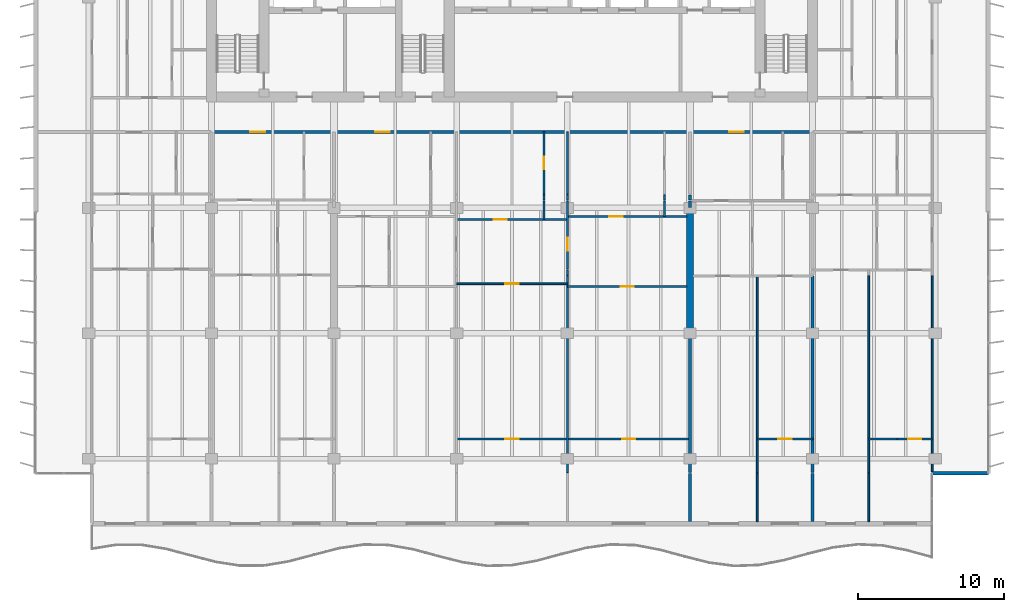
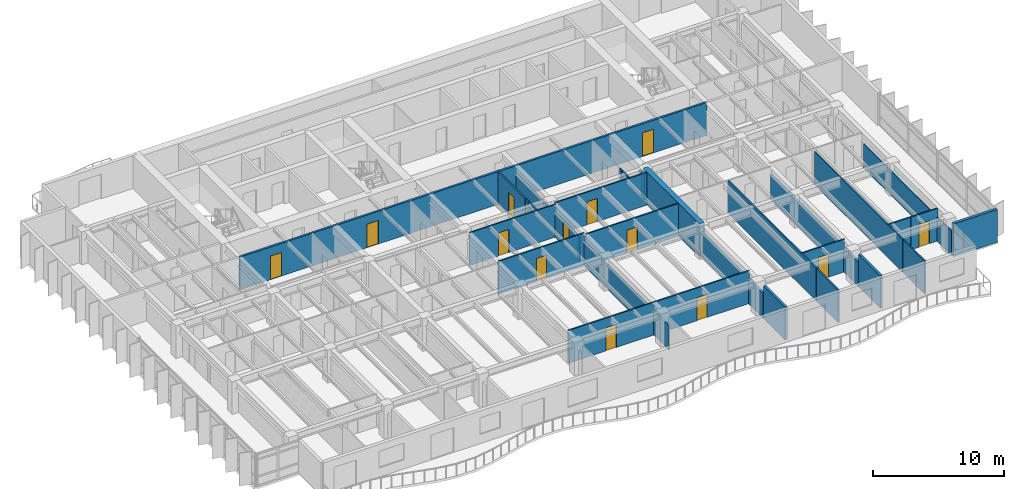
# One storey, part 10 of 18: 32 walls, 13 doors, 13 openings.
"""IFC4 building model written with IfcOpenShell, lengths in metres."""

from ifc_helpers import new_model, si_unit, direction, frame, frame_2d, origin, place, context, subcontext, project, spatial, rectangle, extrude, material, layer, layer_set, type_object, element, fill, save


model = new_model("IFC4")

# Units and contexts
model_context = context("Model", 3, precision=1e-05, world=origin(), true_north=direction((0.0, 1.0)))
body_context = subcontext(model_context, "Body", "Model", "MODEL_VIEW")
ifc_project = project(units=[si_unit("LENGTHUNIT", "METRE"), si_unit("AREAUNIT", "SQUARE_METRE"), si_unit("VOLUMEUNIT", "CUBIC_METRE"), si_unit("PLANEANGLEUNIT", "RADIAN"), si_unit("MASSUNIT", "GRAM", prefix="KILO")], contexts=[model_context])

# Site, building, storey
site_placement = place(None, origin())
site = spatial("IfcSite", under=ifc_project, at=site_placement, CompositionType="ELEMENT")
building_placement = place(site_placement, origin())
building = spatial("IfcBuilding", under=site, at=building_placement, Name="Caelmar Bay Residences", CompositionType="ELEMENT")
storey_placement = place(building_placement, frame((0.0, 0.0, 177.0)))
storey = spatial("IfcBuildingStorey", under=building, at=storey_placement, Name="L49", CompositionType="ELEMENT", Elevation=177.0)

# Wall
ifc_material_1 = material(Name="Concrete f'c 55 MPa (8,000 psi)", Category="concrete")
ifc_layer_1 = layer(ifc_material_1, 0.449951171875)
ifc_layer_set_1 = layer_set([ifc_layer_1], Name="Concrete f'c 55 MPa (8,000 psi)")
wall_type_1 = type_object("IfcWallType", Name="SW-XSLB-450", PredefinedType="SHEAR", material=ifc_layer_set_1)
wall_1_placement = place(storey_placement, frame((51.10009765625, 20.800048828125, 0.0), z_axis=(0.0, 0.0, 1.0), x_axis=(0.0, 1.0, 0.0)))
element("IfcWall", 1, at=wall_1_placement, inside=storey, type_object=wall_type_1, Name="L49 Transverse Cross-Slab Shear Wall E8", PredefinedType="SHEAR", context=body_context, shape_type="SweptSolid", body=[
    extrude(rectangle(XDim=8.599853515625, YDim=0.449951171875, at=frame_2d((4.2998046875, 0.0))), origin(), (0.0, 0.0, 1.0), 3.050048828125),
])

# Wall, openings, doors
ifc_material_2 = material(Name="Double-stud acoustic fire-rated gypsum partition 180 mm")
ifc_layer_2 = layer(ifc_material_2, 0.179931640625)
ifc_layer_set_2 = layer_set([ifc_layer_2], Name="Double-stud acoustic fire-rated gypsum partition 180 mm")
wall_type_2 = type_object("IfcWallType", Name="W-COR-200", PredefinedType="PARTITIONING", material=ifc_layer_set_2)
wall_2_placement = place(storey_placement, frame((18.300048828125, 34.60009765625, 0.0), z_axis=(0.0, 0.0, 1.0), x_axis=(1.0, 0.0, 0.0)))
wall_2 = element("IfcWall", 2, at=wall_2_placement, inside=storey, type_object=wall_type_2, Name="L49 Partition Wall H128", PredefinedType="PARTITIONING", context=body_context, shape_type="SweptSolid", body=[
    extrude(rectangle(XDim=41.199951171875, YDim=0.179931640625, at=frame_2d((20.60009765625, 0.0))), origin(), (0.0, 0.0, 1.0), 3.050048828125),
])
opening_1_placement = place(wall_2_placement, frame((2.669921875, 0.0, 0.0)))
opening_1 = element("IfcOpeningElement", 3, at=opening_1_placement, cuts=wall_2, Name="Opening D-L49-127", PredefinedType="OPENING", context=body_context, shape_type="SweptSolid", body=[
    extrude(rectangle(XDim=1.0, YDim=2.199951171875, at=frame_2d((0.5, 1.10009765625))), frame((0.0, 0.099853515625, 0.0), z_axis=(0.0, -1.0, 0.0), x_axis=(1.0, 0.0, 0.0)), (0.0, 0.0, 1.0), 0.199951171875),
])
opening_2_placement = place(wall_2_placement, frame((11.2119140625, 0.0, 0.0)))
opening_2 = element("IfcOpeningElement", 4, at=opening_2_placement, cuts=wall_2, Name="Opening D-L49-134", PredefinedType="OPENING", context=body_context, shape_type="SweptSolid", body=[
    extrude(rectangle(XDim=1.0, YDim=2.199951171875, at=frame_2d((0.5, 1.10009765625))), frame((0.0, 0.099853515625, 0.0), z_axis=(0.0, -1.0, 0.0), x_axis=(1.0, 0.0, 0.0)), (0.0, 0.0, 1.0), 0.199951171875),
])
opening_3_placement = place(wall_2_placement, frame((35.48291015625, 0.0, 0.0)))
opening_3 = element("IfcOpeningElement", 5, at=opening_3_placement, cuts=wall_2, Name="Opening D-L49-149", PredefinedType="OPENING", context=body_context, shape_type="SweptSolid", body=[
    extrude(rectangle(XDim=1.0, YDim=2.199951171875, at=frame_2d((0.5, 1.10009765625))), frame((0.0, 0.099853515625, 0.0), z_axis=(0.0, -1.0, 0.0), x_axis=(1.0, 0.0, 0.0)), (0.0, 0.0, 1.0), 0.199951171875),
])
ifc_material_3 = material(Name="Fire-rated steel and walnut architectural door assembly", Category="steel")
ifc_layer_3 = layer(ifc_material_3, 0.050048828125)
ifc_layer_set_3 = layer_set([ifc_layer_3], Name="Fire-rated steel and walnut architectural door assembly")
door_type_1 = type_object("IfcDoorType", Name="D-UNIT-1000", OperationType="NOTDEFINED", PredefinedType="DOOR", material=ifc_layer_set_3)
door_1_placement = place(opening_1_placement, origin())
door_1 = element("IfcDoor", 6, at=door_1_placement, inside=storey, type_object=door_type_1, Name="L49 Residence 02 Apartment Hall Door", OperationType="SINGLE_SWING_RIGHT", OverallHeight=2.199951171875, OverallWidth=1.0, PredefinedType="DOOR", context=body_context, shape_type="SweptSolid", body=[
    extrude(rectangle(XDim=1.0, YDim=2.199951171875, at=frame_2d((0.5, 1.10009765625))), frame((0.0, 0.02490234375, 0.0), z_axis=(0.0, -1.0, 0.0), x_axis=(1.0, 0.0, 0.0)), (0.0, 0.0, 1.0), 0.050048828125),
])
fill(opening_1, door_1)
door_2_placement = place(opening_2_placement, origin())
door_2 = element("IfcDoor", 7, at=door_2_placement, inside=storey, type_object=door_type_1, Name="L49 Residence 03 Apartment Hall Door", OperationType="SINGLE_SWING_LEFT", OverallHeight=2.199951171875, OverallWidth=1.0, PredefinedType="DOOR", context=body_context, shape_type="SweptSolid", body=[
    extrude(rectangle(XDim=1.0, YDim=2.199951171875, at=frame_2d((0.5, 1.10009765625))), frame((0.0, 0.02490234375, 0.0), z_axis=(0.0, -1.0, 0.0), x_axis=(1.0, 0.0, 0.0)), (0.0, 0.0, 1.0), 0.050048828125),
])
fill(opening_2, door_2)
door_3_placement = place(opening_3_placement, origin())
door_3 = element("IfcDoor", 8, at=door_3_placement, inside=storey, type_object=door_type_1, Name="L49 Residence 04 Apartment Hall Door", OperationType="SINGLE_SWING_RIGHT", OverallHeight=2.199951171875, OverallWidth=1.0, PredefinedType="DOOR", context=body_context, shape_type="SweptSolid", body=[
    extrude(rectangle(XDim=1.0, YDim=2.199951171875, at=frame_2d((0.5, 1.10009765625))), frame((0.0, 0.02490234375, 0.0), z_axis=(0.0, -1.0, 0.0), x_axis=(1.0, 0.0, 0.0)), (0.0, 0.0, 1.0), 0.050048828125),
])
fill(opening_3, door_3)

# Walls
ifc_material_4 = material(Name="Precast concrete f'c 40 MPa (6,000 psi)", Category="concrete")
ifc_layer_4 = layer(ifc_material_4, 0.25)
ifc_layer_set_4 = layer_set([ifc_layer_4], Name="Precast concrete f'c 40 MPa (6,000 psi)")
wall_type_3 = type_object("IfcWallType", Name="W-EXT-250", PredefinedType="ELEMENTEDWALL", material=ifc_layer_set_4)
wall_3_placement = place(storey_placement, frame((67.699951171875, 11.199951171875, 0.0), z_axis=(0.0, 0.0, 1.0), x_axis=(1.0, 0.0, 0.0)))
element("IfcWall", 9, at=wall_3_placement, inside=storey, type_object=wall_type_3, Name="L49 SE Notch Return Wall", PredefinedType="ELEMENTEDWALL", context=body_context, shape_type="SweptSolid", body=[
    extrude(rectangle(XDim=3.85009765625, YDim=0.25, at=frame_2d((1.925048828125, 0.0))), origin(), (0.0, 0.0, 1.0), 3.050048828125),
])
ifc_material_5 = material(Name="Acoustic metal-stud gypsum partition 120 mm")
ifc_layer_5 = layer(ifc_material_5, 0.1201171875)
ifc_layer_set_5 = layer_set([ifc_layer_5], Name="Acoustic metal-stud gypsum partition 120 mm")
wall_type_4 = type_object("IfcWallType", Name="W-PRT-120", PredefinedType="PARTITIONING", material=ifc_layer_set_5)
wall_4_placement = place(storey_placement, frame((41.10009765625, 28.60009765625, 0.0), z_axis=(0.0, 0.0, 1.0), x_axis=(0.0, 1.0, 0.0)))
element("IfcWall", 10, at=wall_4_placement, inside=storey, type_object=wall_type_4, Name="L49 Partition Wall V052", PredefinedType="PARTITIONING", context=body_context, shape_type="SweptSolid", body=[
    extrude(rectangle(XDim=1.27978515625, YDim=0.1201171875, at=frame_2d((0.639892578125, 0.0))), origin(), (0.0, 0.0, 1.0), 3.050048828125),
])
wall_5_placement = place(storey_placement, frame((41.10009765625, 29.93994140625, 0.0), z_axis=(0.0, 0.0, 1.0), x_axis=(0.0, 1.0, 0.0)))
element("IfcWall", 11, at=wall_5_placement, inside=storey, type_object=wall_type_4, Name="L49 Partition Wall V053", PredefinedType="PARTITIONING", context=body_context, shape_type="SweptSolid", body=[
    extrude(rectangle(XDim=0.340087890625, YDim=0.1201171875, at=frame_2d((0.169921875, 0.0))), origin(), (0.0, 0.0, 1.0), 3.050048828125),
])

# Wall, opening, door
wall_6_placement = place(storey_placement, frame((41.10009765625, 30.340087890625, 0.0), z_axis=(0.0, 0.0, 1.0), x_axis=(0.0, 1.0, 0.0)))
wall_6 = element("IfcWall", 12, at=wall_6_placement, inside=storey, type_object=wall_type_4, Name="L49 Partition Wall V054", PredefinedType="PARTITIONING", context=body_context, shape_type="SweptSolid", body=[
    extrude(rectangle(XDim=4.260009765625, YDim=0.1201171875, at=frame_2d((2.1298828125, 0.0))), origin(), (0.0, 0.0, 1.0), 3.050048828125),
])
opening_4_placement = place(wall_6_placement, frame((1.705078125, 0.0, 0.0)))
opening_4 = element("IfcOpeningElement", 13, at=opening_4_placement, cuts=wall_6, Name="Opening D-L49-141", PredefinedType="OPENING", context=body_context, shape_type="SweptSolid", body=[
    extrude(rectangle(XDim=0.85009765625, YDim=2.10009765625, at=frame_2d((0.425048828125, 1.050048828125))), frame((0.0, 0.070068359375, 0.0), z_axis=(0.0, -1.0, 0.0), x_axis=(1.0, 0.0, 0.0)), (0.0, 0.0, 1.0), 0.14013671875),
])
ifc_material_6 = material(Name="Solid walnut timber interior door leaf and frame", Category="wood")
ifc_layer_6 = layer(ifc_material_6, 0.050048828125)
ifc_layer_set_6 = layer_set([ifc_layer_6], Name="Solid walnut timber interior door leaf and frame")
door_type_2 = type_object("IfcDoorType", Name="D-BATH-850", OperationType="NOTDEFINED", PredefinedType="DOOR", material=ifc_layer_set_6)
door_4_placement = place(opening_4_placement, origin())
door_4 = element("IfcDoor", 14, at=door_4_placement, inside=storey, type_object=door_type_2, Name="L49 Residence 03 En-Suite Bathroom 1 Door", OperationType="SINGLE_SWING_RIGHT", OverallHeight=2.10009765625, OverallWidth=0.85009765625, PredefinedType="DOOR", context=body_context, shape_type="SweptSolid", body=[
    extrude(rectangle(XDim=0.85009765625, YDim=2.10009765625, at=frame_2d((0.425048828125, 1.050048828125))), frame((0.0, 0.02490234375, 0.0), z_axis=(0.0, -1.0, 0.0), x_axis=(1.0, 0.0, 0.0)), (0.0, 0.0, 1.0), 0.050048828125),
])
fill(opening_4, door_4)

# Walls
wall_7_placement = place(storey_placement, frame((42.699951171875, 11.239990234375, 0.0), z_axis=(0.0, 0.0, 1.0), x_axis=(0.0, 1.0, 0.0)))
element("IfcWall", 15, at=wall_7_placement, inside=storey, type_object=wall_type_4, Name="L49 Partition Wall V056", PredefinedType="PARTITIONING", context=body_context, shape_type="SweptSolid", body=[
    extrude(rectangle(XDim=13.489990234375, YDim=0.1201171875, at=frame_2d((6.7451171875, 0.0))), origin(), (0.0, 0.0, 1.0), 2.262939453125),
])
wall_8_placement = place(storey_placement, frame((42.699951171875, 24.7900390625, 0.0), z_axis=(0.0, 0.0, 1.0), x_axis=(0.0, 1.0, 0.0)))
element("IfcWall", 16, at=wall_8_placement, inside=storey, type_object=wall_type_4, Name="L49 Partition Wall V057", PredefinedType="PARTITIONING", context=body_context, shape_type="SweptSolid", body=[
    extrude(rectangle(XDim=0.33984375, YDim=0.1201171875, at=frame_2d((0.169921875, 0.0))), origin(), (0.0, 0.0, 1.0), 2.262939453125),
])

# Wall, opening, door
wall_9_placement = place(storey_placement, frame((42.699951171875, 25.18994140625, 0.0), z_axis=(0.0, 0.0, 1.0), x_axis=(0.0, 1.0, 0.0)))
wall_9 = element("IfcWall", 17, at=wall_9_placement, inside=storey, type_object=wall_type_4, Name="L49 Partition Wall V058", PredefinedType="PARTITIONING", context=body_context, shape_type="SweptSolid", body=[
    extrude(rectangle(XDim=4.68994140625, YDim=0.1201171875, at=frame_2d((2.344970703125, 0.0))), origin(), (0.0, 0.0, 1.0), 2.262939453125),
])
opening_5_placement = place(wall_9_placement, frame((1.2548828125, 0.0, 0.0)))
opening_5 = element("IfcOpeningElement", 18, at=opening_5_placement, cuts=wall_9, Name="Opening D-L49-144", PredefinedType="OPENING", context=body_context, shape_type="SweptSolid", body=[
    extrude(rectangle(XDim=0.89990234375, YDim=2.14990234375, at=frame_2d((0.449951171875, 1.074951171875))), frame((0.0, 0.070068359375, 0.0), z_axis=(0.0, -1.0, 0.0), x_axis=(1.0, 0.0, 0.0)), (0.0, 0.0, 1.0), 0.14013671875),
])
ifc_layer_7 = layer(ifc_material_6, 0.050048828125)
ifc_layer_set_7 = layer_set([ifc_layer_7], Name="Solid walnut timber interior door leaf and frame")
door_type_3 = type_object("IfcDoorType", Name="D-ROOM-900", OperationType="NOTDEFINED", PredefinedType="DOOR", material=ifc_layer_set_7)
door_5_placement = place(opening_5_placement, origin())
door_5 = element("IfcDoor", 19, at=door_5_placement, inside=storey, type_object=door_type_3, Name="L49 Residence 03 Formal Dining Room 2 Door", OperationType="SINGLE_SWING_LEFT", OverallHeight=2.14990234375, OverallWidth=0.89990234375, PredefinedType="DOOR", context=body_context, shape_type="SweptSolid", body=[
    extrude(rectangle(XDim=0.89990234375, YDim=2.14990234375, at=frame_2d((0.449951171875, 1.074951171875))), frame((0.0, 0.02490234375, 0.0), z_axis=(0.0, -1.0, 0.0), x_axis=(1.0, 0.0, 0.0)), (0.0, 0.0, 1.0), 0.050048828125),
])
fill(opening_5, door_5)

# Walls
wall_10_placement = place(storey_placement, frame((42.699951171875, 29.93994140625, 0.0), z_axis=(0.0, 0.0, 1.0), x_axis=(0.0, 1.0, 0.0)))
element("IfcWall", 20, at=wall_10_placement, inside=storey, type_object=wall_type_4, Name="L49 Partition Wall V059", PredefinedType="PARTITIONING", context=body_context, shape_type="SweptSolid", body=[
    extrude(rectangle(XDim=0.340087890625, YDim=0.1201171875, at=frame_2d((0.169921875, 0.0))), origin(), (0.0, 0.0, 1.0), 2.262939453125),
])
wall_11_placement = place(storey_placement, frame((42.699951171875, 30.340087890625, 0.0), z_axis=(0.0, 0.0, 1.0), x_axis=(0.0, 1.0, 0.0)))
element("IfcWall", 21, at=wall_11_placement, inside=storey, type_object=wall_type_4, Name="L49 Partition Wall V060", PredefinedType="PARTITIONING", context=body_context, shape_type="SweptSolid", body=[
    extrude(rectangle(XDim=4.260009765625, YDim=0.1201171875, at=frame_2d((2.1298828125, 0.0))), origin(), (0.0, 0.0, 1.0), 2.262939453125),
])
wall_12_placement = place(storey_placement, frame((49.35888671875, 28.800048828125, 0.0), z_axis=(0.0, 0.0, 1.0), x_axis=(0.0, 1.0, 0.0)))
element("IfcWall", 22, at=wall_12_placement, inside=storey, type_object=wall_type_4, Name="L49 Partition Wall V064", PredefinedType="PARTITIONING", context=body_context, shape_type="SweptSolid", body=[
    extrude(rectangle(XDim=1.079833984375, YDim=0.1201171875, at=frame_2d((0.5400390625, 0.0))), origin(), (0.0, 0.0, 1.0), 3.050048828125),
])
wall_13_placement = place(storey_placement, frame((49.35888671875, 29.93994140625, 0.0), z_axis=(0.0, 0.0, 1.0), x_axis=(0.0, 1.0, 0.0)))
element("IfcWall", 23, at=wall_13_placement, inside=storey, type_object=wall_type_4, Name="L49 Partition Wall V065", PredefinedType="PARTITIONING", context=body_context, shape_type="SweptSolid", body=[
    extrude(rectangle(XDim=0.340087890625, YDim=0.1201171875, at=frame_2d((0.169921875, 0.0))), origin(), (0.0, 0.0, 1.0), 3.050048828125),
])
wall_14_placement = place(storey_placement, frame((55.719970703125, 7.89501953125, 0.0), z_axis=(0.0, 0.0, 1.0), x_axis=(0.0, 1.0, 0.0)))
element("IfcWall", 24, at=wall_14_placement, inside=storey, type_object=wall_type_4, Name="L49 Partition Wall V077", PredefinedType="PARTITIONING", context=body_context, shape_type="SweptSolid", body=[
    extrude(rectangle(XDim=3.304931640625, YDim=0.1201171875, at=frame_2d((1.65234375, 0.0))), origin(), (0.0, 0.0, 1.0), 3.050048828125),
])
wall_15_placement = place(storey_placement, frame((55.719970703125, 11.239990234375, 0.0), z_axis=(0.0, 0.0, 1.0), x_axis=(0.0, 1.0, 0.0)))
element("IfcWall", 25, at=wall_15_placement, inside=storey, type_object=wall_type_4, Name="L49 Partition Wall V078", PredefinedType="PARTITIONING", context=body_context, shape_type="SweptSolid", body=[
    extrude(rectangle(XDim=13.489990234375, YDim=0.1201171875, at=frame_2d((6.7451171875, 0.0))), origin(), (0.0, 0.0, 1.0), 3.050048828125),
])
wall_16_placement = place(storey_placement, frame((63.35400390625, 7.89501953125, 0.0), z_axis=(0.0, 0.0, 1.0), x_axis=(0.0, 1.0, 0.0)))
element("IfcWall", 26, at=wall_16_placement, inside=storey, type_object=wall_type_4, Name="L49 Partition Wall V089", PredefinedType="PARTITIONING", context=body_context, shape_type="SweptSolid", body=[
    extrude(rectangle(XDim=3.304931640625, YDim=0.1201171875, at=frame_2d((1.65234375, 0.0))), origin(), (0.0, 0.0, 1.0), 3.050048828125),
])
wall_17_placement = place(storey_placement, frame((63.35400390625, 11.239990234375, 0.0), z_axis=(0.0, 0.0, 1.0), x_axis=(0.0, 1.0, 0.0)))
element("IfcWall", 27, at=wall_17_placement, inside=storey, type_object=wall_type_4, Name="L49 Partition Wall V090", PredefinedType="PARTITIONING", context=body_context, shape_type="SweptSolid", body=[
    extrude(rectangle(XDim=13.489990234375, YDim=0.1201171875, at=frame_2d((6.7451171875, 0.0))), origin(), (0.0, 0.0, 1.0), 3.050048828125),
])
wall_18_placement = place(storey_placement, frame((67.699951171875, 11.320068359375, 0.0), z_axis=(0.0, 0.0, 1.0), x_axis=(0.0, 1.0, 0.0)))
element("IfcWall", 28, at=wall_18_placement, inside=storey, type_object=wall_type_4, Name="L49 Partition Wall V096", PredefinedType="PARTITIONING", context=body_context, shape_type="SweptSolid", body=[
    extrude(rectangle(XDim=13.409912109375, YDim=0.1201171875, at=frame_2d((6.705078125, 0.0))), origin(), (0.0, 0.0, 1.0), 2.262939453125),
])

# Wall, openings, doors
wall_19_placement = place(storey_placement, frame((35.10009765625, 13.550048828125, 0.0), z_axis=(0.0, 0.0, 1.0), x_axis=(1.0, 0.0, 0.0)))
wall_19 = element("IfcWall", 29, at=wall_19_placement, inside=storey, type_object=wall_type_4, Name="L49 Partition Wall H106", PredefinedType="PARTITIONING", context=body_context, shape_type="SweptSolid", body=[
    extrude(rectangle(XDim=16.0, YDim=0.1201171875, at=frame_2d((8.0, 0.0))), origin(), (0.0, 0.0, 1.0), 3.050048828125),
])
opening_6_placement = place(wall_19_placement, frame((3.35009765625, 0.0, 0.0)))
opening_6 = element("IfcOpeningElement", 30, at=opening_6_placement, cuts=wall_19, Name="Opening D-L49-143", PredefinedType="OPENING", context=body_context, shape_type="SweptSolid", body=[
    extrude(rectangle(XDim=0.89990234375, YDim=2.14990234375, at=frame_2d((0.449951171875, 1.074951171875))), frame((0.0, 0.070068359375, 0.0), z_axis=(0.0, -1.0, 0.0), x_axis=(1.0, 0.0, 0.0)), (0.0, 0.0, 1.0), 0.14013671875),
])
opening_7_placement = place(wall_19_placement, frame((11.35009765625, 0.0, 0.0)))
opening_7 = element("IfcOpeningElement", 31, at=opening_7_placement, cuts=wall_19, Name="Opening D-L49-148", PredefinedType="OPENING", context=body_context, shape_type="SweptSolid", body=[
    extrude(rectangle(XDim=0.89990234375, YDim=2.14990234375, at=frame_2d((0.449951171875, 1.074951171875))), frame((0.0, 0.070068359375, 0.0), z_axis=(0.0, -1.0, 0.0), x_axis=(1.0, 0.0, 0.0)), (0.0, 0.0, 1.0), 0.14013671875),
])
door_6_placement = place(opening_6_placement, origin())
door_6 = element("IfcDoor", 32, at=door_6_placement, inside=storey, type_object=door_type_3, Name="L49 Residence 03 Primary Bedroom 1 Door", OperationType="SINGLE_SWING_RIGHT", OverallHeight=2.14990234375, OverallWidth=0.89990234375, PredefinedType="DOOR", context=body_context, shape_type="SweptSolid", body=[
    extrude(rectangle(XDim=0.89990234375, YDim=2.14990234375, at=frame_2d((0.449951171875, 1.074951171875))), frame((0.0, 0.02490234375, 0.0), z_axis=(0.0, -1.0, 0.0), x_axis=(1.0, 0.0, 0.0)), (0.0, 0.0, 1.0), 0.050048828125),
])
fill(opening_6, door_6)
door_7_placement = place(opening_7_placement, origin())
door_7 = element("IfcDoor", 33, at=door_7_placement, inside=storey, type_object=door_type_3, Name="L49 Residence 03 Primary Bedroom 2 Door", OperationType="SINGLE_SWING_LEFT", OverallHeight=2.14990234375, OverallWidth=0.89990234375, PredefinedType="DOOR", context=body_context, shape_type="SweptSolid", body=[
    extrude(rectangle(XDim=0.89990234375, YDim=2.14990234375, at=frame_2d((0.449951171875, 1.074951171875))), frame((0.0, 0.02490234375, 0.0), z_axis=(0.0, -1.0, 0.0), x_axis=(1.0, 0.0, 0.0)), (0.0, 0.0, 1.0), 0.050048828125),
])
fill(opening_7, door_7)

# Wall, opening, door
wall_20_placement = place(storey_placement, frame((55.719970703125, 13.550048828125, 0.0), z_axis=(0.0, 0.0, 1.0), x_axis=(1.0, 0.0, 0.0)))
wall_20 = element("IfcWall", 34, at=wall_20_placement, inside=storey, type_object=wall_type_4, Name="L49 Partition Wall H107", PredefinedType="PARTITIONING", context=body_context, shape_type="SweptSolid", body=[
    extrude(rectangle(XDim=3.780029296875, YDim=0.1201171875, at=frame_2d((1.89013671875, 0.0))), origin(), (0.0, 0.0, 1.0), 3.050048828125),
])
opening_8_placement = place(wall_20_placement, frame((1.43994140625, 0.0, 0.0)))
opening_8 = element("IfcOpeningElement", 35, at=opening_8_placement, cuts=wall_20, Name="Opening D-L49-155", PredefinedType="OPENING", context=body_context, shape_type="SweptSolid", body=[
    extrude(rectangle(XDim=0.89990234375, YDim=2.14990234375, at=frame_2d((0.449951171875, 1.074951171875))), frame((0.0, 0.070068359375, 0.0), z_axis=(0.0, -1.0, 0.0), x_axis=(1.0, 0.0, 0.0)), (0.0, 0.0, 1.0), 0.14013671875),
])
door_8_placement = place(opening_8_placement, origin())
door_8 = element("IfcDoor", 36, at=door_8_placement, inside=storey, type_object=door_type_3, Name="L49 Residence 04 Primary Bedroom Door", OperationType="SINGLE_SWING_RIGHT", OverallHeight=2.14990234375, OverallWidth=0.89990234375, PredefinedType="DOOR", context=body_context, shape_type="SweptSolid", body=[
    extrude(rectangle(XDim=0.89990234375, YDim=2.14990234375, at=frame_2d((0.449951171875, 1.074951171875))), frame((0.0, 0.02490234375, 0.0), z_axis=(0.0, -1.0, 0.0), x_axis=(1.0, 0.0, 0.0)), (0.0, 0.0, 1.0), 0.050048828125),
])
fill(opening_8, door_8)

# Wall
wall_21_placement = place(storey_placement, frame((63.35400390625, 13.550048828125, 0.0), z_axis=(0.0, 0.0, 1.0), x_axis=(1.0, 0.0, 0.0)))
element("IfcWall", 37, at=wall_21_placement, inside=storey, type_object=wall_type_4, Name="L49 Partition Wall H108", PredefinedType="PARTITIONING", context=body_context, shape_type="SweptSolid", body=[
    extrude(rectangle(XDim=1.926025390625, YDim=0.1201171875, at=frame_2d((0.962890625, 0.0))), origin(), (0.0, 0.0, 1.0), 3.050048828125),
])

# Wall, opening, door
wall_22_placement = place(storey_placement, frame((65.31591796875, 13.550048828125, 0.0), z_axis=(0.0, 0.0, 1.0), x_axis=(1.0, 0.0, 0.0)))
wall_22 = element("IfcWall", 38, at=wall_22_placement, inside=storey, type_object=wall_type_4, Name="L49 Partition Wall H109", PredefinedType="PARTITIONING", context=body_context, shape_type="SweptSolid", body=[
    extrude(rectangle(XDim=2.384033203125, YDim=0.1201171875, at=frame_2d((1.19189453125, 0.0))), origin(), (0.0, 0.0, 1.0), 3.050048828125),
])
opening_9_placement = place(wall_22_placement, frame((0.741943359375, 0.0, 0.0)))
opening_9 = element("IfcOpeningElement", 39, at=opening_9_placement, cuts=wall_22, Name="Opening D-L49-162", PredefinedType="OPENING", context=body_context, shape_type="SweptSolid", body=[
    extrude(rectangle(XDim=0.89990234375, YDim=2.14990234375, at=frame_2d((0.449951171875, 1.074951171875))), frame((0.0, 0.070068359375, 0.0), z_axis=(0.0, -1.0, 0.0), x_axis=(1.0, 0.0, 0.0)), (0.0, 0.0, 1.0), 0.14013671875),
])
door_9_placement = place(opening_9_placement, origin())
door_9 = element("IfcDoor", 40, at=door_9_placement, inside=storey, type_object=door_type_3, Name="L49 Residence 05 Primary Bedroom Door", OperationType="SINGLE_SWING_LEFT", OverallHeight=2.14990234375, OverallWidth=0.89990234375, PredefinedType="DOOR", context=body_context, shape_type="SweptSolid", body=[
    extrude(rectangle(XDim=0.89990234375, YDim=2.14990234375, at=frame_2d((0.449951171875, 1.074951171875))), frame((0.0, 0.02490234375, 0.0), z_axis=(0.0, -1.0, 0.0), x_axis=(1.0, 0.0, 0.0)), (0.0, 0.0, 1.0), 0.050048828125),
])
fill(opening_9, door_9)

wall_23_placement = place(storey_placement, frame((42.699951171875, 24.0, 0.0), z_axis=(0.0, 0.0, 1.0), x_axis=(1.0, 0.0, 0.0)))
wall_23 = element("IfcWall", 41, at=wall_23_placement, inside=storey, type_object=wall_type_4, Name="L49 Partition Wall H111", PredefinedType="PARTITIONING", context=body_context, shape_type="SweptSolid", body=[
    extrude(rectangle(XDim=8.179931640625, YDim=0.1201171875, at=frame_2d((4.08984375, 0.0))), origin(), (0.0, 0.0, 1.0), 3.050048828125),
])
opening_10_placement = place(wall_23_placement, frame((3.639892578125, 0.0, 0.0)))
opening_10 = element("IfcOpeningElement", 42, at=opening_10_placement, cuts=wall_23, Name="Opening D-L49-147", PredefinedType="OPENING", context=body_context, shape_type="SweptSolid", body=[
    extrude(rectangle(XDim=0.89990234375, YDim=2.14990234375, at=frame_2d((0.449951171875, 1.074951171875))), frame((0.0, 0.070068359375, 0.0), z_axis=(0.0, -1.0, 0.0), x_axis=(1.0, 0.0, 0.0)), (0.0, 0.0, 1.0), 0.14013671875),
])
door_10_placement = place(opening_10_placement, origin())
door_10 = element("IfcDoor", 43, at=door_10_placement, inside=storey, type_object=door_type_3, Name="L49 Residence 03 Penthouse Sitting Salon 2 Door", OperationType="SINGLE_SWING_RIGHT", OverallHeight=2.14990234375, OverallWidth=0.89990234375, PredefinedType="DOOR", context=body_context, shape_type="SweptSolid", body=[
    extrude(rectangle(XDim=0.89990234375, YDim=2.14990234375, at=frame_2d((0.449951171875, 1.074951171875))), frame((0.0, 0.02490234375, 0.0), z_axis=(0.0, -1.0, 0.0), x_axis=(1.0, 0.0, 0.0)), (0.0, 0.0, 1.0), 0.050048828125),
])
fill(opening_10, door_10)

wall_24_placement = place(storey_placement, frame((35.10498046875, 24.199951171875, 0.0), z_axis=(0.0, 0.0, 1.0), x_axis=(1.0, 0.0, 0.0)))
wall_24 = element("IfcWall", 44, at=wall_24_placement, inside=storey, type_object=wall_type_4, Name="L49 Partition Wall H112", PredefinedType="PARTITIONING", context=body_context, shape_type="SweptSolid", body=[
    extrude(rectangle(XDim=7.590087890625, YDim=0.1201171875, at=frame_2d((3.794921875, 0.0))), origin(), (0.0, 0.0, 1.0), 3.050048828125),
])
opening_11_placement = place(wall_24_placement, frame((3.344970703125, 0.0, 0.0)))
opening_11 = element("IfcOpeningElement", 45, at=opening_11_placement, cuts=wall_24, Name="Opening D-L49-142", PredefinedType="OPENING", context=body_context, shape_type="SweptSolid", body=[
    extrude(rectangle(XDim=0.89990234375, YDim=2.14990234375, at=frame_2d((0.449951171875, 1.074951171875))), frame((0.0, 0.070068359375, 0.0), z_axis=(0.0, -1.0, 0.0), x_axis=(1.0, 0.0, 0.0)), (0.0, 0.0, 1.0), 0.14013671875),
])
door_11_placement = place(opening_11_placement, origin())
door_11 = element("IfcDoor", 46, at=door_11_placement, inside=storey, type_object=door_type_3, Name="L49 Residence 03 Penthouse Sitting Salon 1 Door", OperationType="SINGLE_SWING_LEFT", OverallHeight=2.14990234375, OverallWidth=0.89990234375, PredefinedType="DOOR", context=body_context, shape_type="SweptSolid", body=[
    extrude(rectangle(XDim=0.89990234375, YDim=2.14990234375, at=frame_2d((0.449951171875, 1.074951171875))), frame((0.0, 0.02490234375, 0.0), z_axis=(0.0, -1.0, 0.0), x_axis=(1.0, 0.0, 0.0)), (0.0, 0.0, 1.0), 0.050048828125),
])
fill(opening_11, door_11)

wall_25_placement = place(storey_placement, frame((35.10009765625, 28.60009765625, 0.0), z_axis=(0.0, 0.0, 1.0), x_axis=(1.0, 0.0, 0.0)))
wall_25 = element("IfcWall", 47, at=wall_25_placement, inside=storey, type_object=wall_type_4, Name="L49 Partition Wall H118", PredefinedType="PARTITIONING", context=body_context, shape_type="SweptSolid", body=[
    extrude(rectangle(XDim=7.599853515625, YDim=0.1201171875, at=frame_2d((3.7998046875, 0.0))), origin(), (0.0, 0.0, 1.0), 3.050048828125),
])
opening_12_placement = place(wall_25_placement, frame((2.550048828125, 0.0, 0.0)))
opening_12 = element("IfcOpeningElement", 48, at=opening_12_placement, cuts=wall_25, Name="Opening D-L49-140", PredefinedType="OPENING", context=body_context, shape_type="SweptSolid", body=[
    extrude(rectangle(XDim=0.89990234375, YDim=2.14990234375, at=frame_2d((0.449951171875, 1.074951171875))), frame((0.0, 0.070068359375, 0.0), z_axis=(0.0, -1.0, 0.0), x_axis=(1.0, 0.0, 0.0)), (0.0, 0.0, 1.0), 0.14013671875),
])
door_12_placement = place(opening_12_placement, origin())
door_12 = element("IfcDoor", 49, at=door_12_placement, inside=storey, type_object=door_type_3, Name="L49 Residence 03 Breakfast Dining Room 1 Door", OperationType="SINGLE_SWING_LEFT", OverallHeight=2.14990234375, OverallWidth=0.89990234375, PredefinedType="DOOR", context=body_context, shape_type="SweptSolid", body=[
    extrude(rectangle(XDim=0.89990234375, YDim=2.14990234375, at=frame_2d((0.449951171875, 1.074951171875))), frame((0.0, 0.02490234375, 0.0), z_axis=(0.0, -1.0, 0.0), x_axis=(1.0, 0.0, 0.0)), (0.0, 0.0, 1.0), 0.050048828125),
])
fill(opening_12, door_12)

wall_26_placement = place(storey_placement, frame((42.705078125, 28.800048828125, 0.0), z_axis=(0.0, 0.0, 1.0), x_axis=(1.0, 0.0, 0.0)))
wall_26 = element("IfcWall", 50, at=wall_26_placement, inside=storey, type_object=wall_type_4, Name="L49 Partition Wall H120", PredefinedType="PARTITIONING", context=body_context, shape_type="SweptSolid", body=[
    extrude(rectangle(XDim=8.1748046875, YDim=0.1201171875, at=frame_2d((4.08740234375, 0.0))), origin(), (0.0, 0.0, 1.0), 3.050048828125),
])
opening_13_placement = place(wall_26_placement, frame((2.876953125, 0.0, 0.0)))
opening_13 = element("IfcOpeningElement", 51, at=opening_13_placement, cuts=wall_26, Name="Opening D-L49-145", PredefinedType="OPENING", context=body_context, shape_type="SweptSolid", body=[
    extrude(rectangle(XDim=0.89990234375, YDim=2.14990234375, at=frame_2d((0.449951171875, 1.074951171875))), frame((0.0, 0.070068359375, 0.0), z_axis=(0.0, -1.0, 0.0), x_axis=(1.0, 0.0, 0.0)), (0.0, 0.0, 1.0), 0.14013671875),
])
door_13_placement = place(opening_13_placement, origin())
door_13 = element("IfcDoor", 52, at=door_13_placement, inside=storey, type_object=door_type_3, Name="L49 Residence 03 Breakfast Dining Room 2 Door", OperationType="SINGLE_SWING_RIGHT", OverallHeight=2.14990234375, OverallWidth=0.89990234375, PredefinedType="DOOR", context=body_context, shape_type="SweptSolid", body=[
    extrude(rectangle(XDim=0.89990234375, YDim=2.14990234375, at=frame_2d((0.449951171875, 1.074951171875))), frame((0.0, 0.02490234375, 0.0), z_axis=(0.0, -1.0, 0.0), x_axis=(1.0, 0.0, 0.0)), (0.0, 0.0, 1.0), 0.050048828125),
])
fill(opening_13, door_13)

# Walls
ifc_material_7 = material(Name="Acoustic twin-stud fire-rated inter-tenancy partition 200 mm")
ifc_layer_8 = layer(ifc_material_7, 0.199951171875)
ifc_layer_set_8 = layer_set([ifc_layer_8], Name="Acoustic twin-stud fire-rated inter-tenancy partition 200 mm")
wall_type_5 = type_object("IfcWallType", Name="W-PTY-200", PredefinedType="PARTITIONING", material=ifc_layer_set_8)
wall_27_placement = place(storey_placement, frame((51.10009765625, 7.89501953125, 0.0), z_axis=(0.0, 0.0, 1.0), x_axis=(0.0, 1.0, 0.0)))
element("IfcWall", 53, at=wall_27_placement, inside=storey, type_object=wall_type_5, Name="L49 Partition Wall V069", PredefinedType="PARTITIONING", context=body_context, shape_type="SweptSolid", body=[
    extrude(rectangle(XDim=3.304931640625, YDim=0.199951171875, at=frame_2d((1.65234375, 0.0))), origin(), (0.0, 0.0, 1.0), 3.050048828125),
])
wall_28_placement = place(storey_placement, frame((51.10009765625, 11.239990234375, 0.0), z_axis=(0.0, 0.0, 1.0), x_axis=(0.0, 1.0, 0.0)))
element("IfcWall", 54, at=wall_28_placement, inside=storey, type_object=wall_type_5, Name="L49 Partition Wall V070", PredefinedType="PARTITIONING", context=body_context, shape_type="SweptSolid", body=[
    extrude(rectangle(XDim=9.554931640625, YDim=0.199951171875, at=frame_2d((4.77734375, 0.0))), origin(), (0.0, 0.0, 1.0), 2.262939453125),
])
wall_29_placement = place(storey_placement, frame((51.10009765625, 29.405029296875, 0.0), z_axis=(0.0, 0.0, 1.0), x_axis=(0.0, 1.0, 0.0)))
element("IfcWall", 55, at=wall_29_placement, inside=storey, type_object=wall_type_5, Name="L49 Partition Wall V071", PredefinedType="PARTITIONING", context=body_context, shape_type="SweptSolid", body=[
    extrude(rectangle(XDim=0.474853515625, YDim=0.199951171875, at=frame_2d((0.2373046875, 0.0))), origin(), (0.0, 0.0, 1.0), 2.3349609375),
])
wall_30_placement = place(storey_placement, frame((51.10009765625, 29.93994140625, 0.0), z_axis=(0.0, 0.0, 1.0), x_axis=(0.0, 1.0, 0.0)))
element("IfcWall", 56, at=wall_30_placement, inside=storey, type_object=wall_type_5, Name="L49 Partition Wall V072", PredefinedType="PARTITIONING", context=body_context, shape_type="SweptSolid", body=[
    extrude(rectangle(XDim=0.340087890625, YDim=0.199951171875, at=frame_2d((0.169921875, 0.0))), origin(), (0.0, 0.0, 1.0), 2.3349609375),
])
wall_31_placement = place(storey_placement, frame((59.5, 7.89501953125, 0.0), z_axis=(0.0, 0.0, 1.0), x_axis=(0.0, 1.0, 0.0)))
element("IfcWall", 57, at=wall_31_placement, inside=storey, type_object=wall_type_5, Name="L49 Partition Wall V082", PredefinedType="PARTITIONING", context=body_context, shape_type="SweptSolid", body=[
    extrude(rectangle(XDim=3.304931640625, YDim=0.199951171875, at=frame_2d((1.65234375, 0.0))), origin(), (0.0, 0.0, 1.0), 3.050048828125),
])
wall_32_placement = place(storey_placement, frame((59.5, 11.239990234375, 0.0), z_axis=(0.0, 0.0, 1.0), x_axis=(0.0, 1.0, 0.0)))
element("IfcWall", 58, at=wall_32_placement, inside=storey, type_object=wall_type_5, Name="L49 Partition Wall V083", PredefinedType="PARTITIONING", context=body_context, shape_type="SweptSolid", body=[
    extrude(rectangle(XDim=13.489990234375, YDim=0.199951171875, at=frame_2d((6.7451171875, 0.0))), origin(), (0.0, 0.0, 1.0), 2.262939453125),
])

save(model, "model.ifc")
